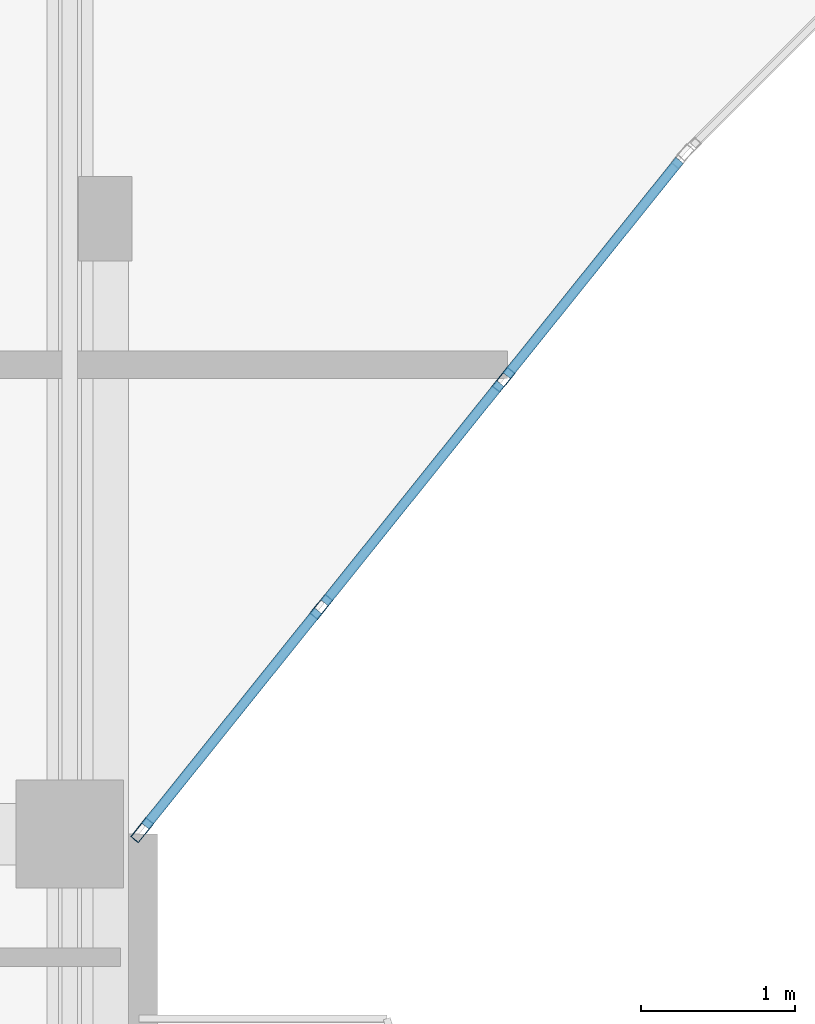
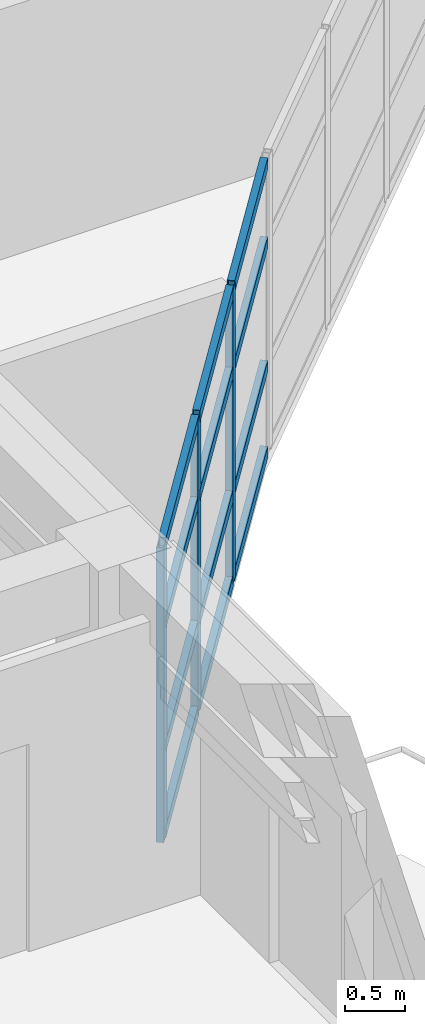
# One storey, part 53 of 128: 15 members, 1 element without a shape of its own.
"""IFC4 building model written with IfcOpenShell, lengths in metres."""

from ifc_helpers import new_model, si_unit, direction, frame, origin, origin_2d, place, context, subcontext, project, spatial, hollow_rectangle, extrude, material, layer, layer_set, material_profile, profile_set, type_object, element, aggregate, save


model = new_model("IFC4")

# Units and contexts
model_context = context("Model", 3, precision=1e-05, world=origin(), true_north=direction((0.0, 1.0)))
body_context = subcontext(model_context, "Body", "Model", "MODEL_VIEW")
ifc_project = project(units=[si_unit("LENGTHUNIT", "METRE"), si_unit("AREAUNIT", "SQUARE_METRE"), si_unit("VOLUMEUNIT", "CUBIC_METRE"), si_unit("PLANEANGLEUNIT", "RADIAN"), si_unit("MASSUNIT", "GRAM", prefix="KILO")], contexts=[model_context])

# Site, building, storey
site_placement = place(None, origin())
site = spatial("IfcSite", under=ifc_project, at=site_placement, CompositionType="ELEMENT")
building_placement = place(site_placement, origin())
building = spatial("IfcBuilding", under=site, at=building_placement, Name="Keldmere Railside Commons", CompositionType="ELEMENT")
storey_placement = place(building_placement, frame((0.0, 0.0, 4.159912109375)))
storey = spatial("IfcBuildingStorey", under=building, at=storey_placement, Name="L01", CompositionType="ELEMENT", Elevation=4.159912109375)

# Curtain wall, members
ifc_material = material(Name="Thermally Broken Aluminium", Category="aluminium")
ifc_layer = layer(ifc_material, 0.159912109375, Name="Court Chord Wintergarden CW 4800x2850")
ifc_layer_set = layer_set([ifc_layer], Name="Thermally Broken Aluminium")
curtain_wall_type = type_object("IfcCurtainWallType", Name="Court Chord Wintergarden CW 4800x2850", PredefinedType="NOTDEFINED", material=ifc_layer_set)
curtain_wall_placement = place(storey_placement, origin())
curtain_wall = element("IfcCurtainWall", 1, at=curtain_wall_placement, inside=storey, type_object=curtain_wall_type, Name="CW-12 CW-L01-091", PredefinedType="NOTDEFINED")
ifc_material_profile_1 = material_profile(ifc_material, hollow_rectangle(XDim=0.06494140625, YDim=0.159912109375, WallThickness=0.00390625, at=origin_2d()), Name="ALU-MULL-65x160")
ifc_profile_set_1 = profile_set([ifc_material_profile_1], Name="Thermally Broken Aluminium")
member_type_1 = type_object("IfcMemberType", Name="Unitised Curtain Wall Mullion 65x160", PredefinedType="MULLION", material=ifc_profile_set_1)
member_1_placement = place(storey_placement, frame((122.369384765625, 90.953369140625, 0.0), z_axis=(0.0, 0.0, 1.0), x_axis=(0.780009172323, -0.625768080915, 0.0)))
member_1 = element("IfcMember", 2, at=member_1_placement, type_object=member_type_1, Name="CW-12 mullion 2", PredefinedType="MULLION", context=body_context, shape_type="SweptSolid", body=[
    extrude(hollow_rectangle(XDim=0.06494140625, YDim=0.159912109375, WallThickness=0.00390625, at=origin_2d()), origin(), (0.0, 0.0, 1.0), 2.97998046875),
])
member_2_placement = place(storey_placement, frame((121.1845703125, 89.4765625, 0.0), z_axis=(0.0, 0.0, 1.0), x_axis=(0.780009172323, -0.625768080915, 0.0)))
member_2 = element("IfcMember", 3, at=member_2_placement, type_object=member_type_1, Name="CW-12 mullion 3", PredefinedType="MULLION", context=body_context, shape_type="SweptSolid", body=[
    extrude(hollow_rectangle(XDim=0.06494140625, YDim=0.159912109375, WallThickness=0.00390625, at=origin_2d()), origin(), (0.0, 0.0, 1.0), 2.97998046875),
])
member_3_placement = place(storey_placement, frame((120.020263671875, 88.025390625, 0.0), z_axis=(0.0, 0.0, 1.0), x_axis=(0.780009172323, -0.625768080915, 0.0)))
member_3 = element("IfcMember", 4, at=member_3_placement, type_object=member_type_1, Name="CW-12 mullion 4", PredefinedType="MULLION", context=body_context, shape_type="SweptSolid", body=[
    extrude(hollow_rectangle(XDim=0.06494140625, YDim=0.159912109375, WallThickness=0.00390625, at=origin_2d()), origin(), (0.0, 0.0, 1.0), 2.97998046875),
])
ifc_material_profile_2 = material_profile(ifc_material, hollow_rectangle(XDim=0.06494140625, YDim=0.1201171875, WallThickness=0.00390625, at=origin_2d()), Name="ALU-TRAN-65x120")
ifc_profile_set_2 = profile_set([ifc_material_profile_2], Name="Thermally Broken Aluminium")
member_type_2 = type_object("IfcMemberType", Name="Unitised Curtain Wall Transom 65x120", PredefinedType="USERDEFINED", material=ifc_profile_set_2)
member_4_placement = place(storey_placement, frame((123.513427734375, 92.37939453125, 0.032470703125), z_axis=(-0.625805275091, -0.779979331565, 0.0), x_axis=(0.779979331565, -0.625805275091, 0.0)))
member_4 = element("IfcMember", 5, at=member_4_placement, type_object=member_type_2, Name="CW-12 transom 1.1", ObjectType="TRANSOM", PredefinedType="USERDEFINED", context=body_context, shape_type="SweptSolid", body=[
    extrude(hollow_rectangle(XDim=0.06494140625, YDim=0.1201171875, WallThickness=0.00390625, at=origin_2d()), origin(), (0.0, 0.0, 1.0), 1.795654296875),
])
member_5_placement = place(storey_placement, frame((123.513427734375, 92.37939453125, 0.900146484375), z_axis=(-0.625805275091, -0.779979331565, 0.0), x_axis=(0.779979331565, -0.625805275091, 0.0)))
member_5 = element("IfcMember", 6, at=member_5_placement, type_object=member_type_2, Name="CW-12 transom 1.2", ObjectType="TRANSOM", PredefinedType="USERDEFINED", context=body_context, shape_type="SweptSolid", body=[
    extrude(hollow_rectangle(XDim=0.06494140625, YDim=0.1201171875, WallThickness=0.00390625, at=origin_2d()), origin(), (0.0, 0.0, 1.0), 1.795654296875),
])
member_6_placement = place(storey_placement, frame((123.513427734375, 92.37939453125, 2.150146484375), z_axis=(-0.625805275091, -0.779979331565, 0.0), x_axis=(0.779979331565, -0.625805275091, 0.0)))
member_6 = element("IfcMember", 7, at=member_6_placement, type_object=member_type_2, Name="CW-12 transom 1.3", ObjectType="TRANSOM", PredefinedType="USERDEFINED", context=body_context, shape_type="SweptSolid", body=[
    extrude(hollow_rectangle(XDim=0.06494140625, YDim=0.1201171875, WallThickness=0.00390625, at=origin_2d()), origin(), (0.0, 0.0, 1.0), 1.795654296875),
])
member_7_placement = place(storey_placement, frame((123.513427734375, 92.37939453125, 2.947509765625), z_axis=(-0.625805275091, -0.779979331565, 0.0), x_axis=(0.779979331565, -0.625805275091, 0.0)))
member_7 = element("IfcMember", 8, at=member_7_placement, type_object=member_type_2, Name="CW-12 transom 1.4", ObjectType="TRANSOM", PredefinedType="USERDEFINED", context=body_context, shape_type="SweptSolid", body=[
    extrude(hollow_rectangle(XDim=0.06494140625, YDim=0.1201171875, WallThickness=0.00390625, at=origin_2d()), origin(), (0.0, 0.0, 1.0), 1.795654296875),
])
member_8_placement = place(storey_placement, frame((122.348876953125, 90.927978515625, 0.032470703125), z_axis=(-0.625688033635, -0.78007338409, 0.0), x_axis=(0.78007338409, -0.625688033635, 0.0)))
member_8 = element("IfcMember", 9, at=member_8_placement, type_object=member_type_2, Name="CW-12 transom 2.1", ObjectType="TRANSOM", PredefinedType="USERDEFINED", context=body_context, shape_type="SweptSolid", body=[
    extrude(hollow_rectangle(XDim=0.06494140625, YDim=0.1201171875, WallThickness=0.00390625, at=origin_2d()), origin(), (0.0, 0.0, 1.0), 1.828125),
])
member_9_placement = place(storey_placement, frame((122.348876953125, 90.927978515625, 0.900146484375), z_axis=(-0.625688033635, -0.78007338409, 0.0), x_axis=(0.78007338409, -0.625688033635, 0.0)))
member_9 = element("IfcMember", 10, at=member_9_placement, type_object=member_type_2, Name="CW-12 transom 2.2", ObjectType="TRANSOM", PredefinedType="USERDEFINED", context=body_context, shape_type="SweptSolid", body=[
    extrude(hollow_rectangle(XDim=0.06494140625, YDim=0.1201171875, WallThickness=0.00390625, at=origin_2d()), origin(), (0.0, 0.0, 1.0), 1.828125),
])
member_10_placement = place(storey_placement, frame((122.348876953125, 90.927978515625, 2.150146484375), z_axis=(-0.625688033635, -0.78007338409, 0.0), x_axis=(0.78007338409, -0.625688033635, 0.0)))
member_10 = element("IfcMember", 11, at=member_10_placement, type_object=member_type_2, Name="CW-12 transom 2.3", ObjectType="TRANSOM", PredefinedType="USERDEFINED", context=body_context, shape_type="SweptSolid", body=[
    extrude(hollow_rectangle(XDim=0.06494140625, YDim=0.1201171875, WallThickness=0.00390625, at=origin_2d()), origin(), (0.0, 0.0, 1.0), 1.828125),
])
member_11_placement = place(storey_placement, frame((122.348876953125, 90.927978515625, 2.947509765625), z_axis=(-0.625688033635, -0.78007338409, 0.0), x_axis=(0.78007338409, -0.625688033635, 0.0)))
member_11 = element("IfcMember", 12, at=member_11_placement, type_object=member_type_2, Name="CW-12 transom 2.4", ObjectType="TRANSOM", PredefinedType="USERDEFINED", context=body_context, shape_type="SweptSolid", body=[
    extrude(hollow_rectangle(XDim=0.06494140625, YDim=0.1201171875, WallThickness=0.00390625, at=origin_2d()), origin(), (0.0, 0.0, 1.0), 1.828125),
])
member_12_placement = place(storey_placement, frame((121.164306640625, 89.451416015625, 0.032470703125), z_axis=(-0.625722553313, -0.780045694992, 0.0), x_axis=(0.780045694992, -0.625722553313, 0.0)))
member_12 = element("IfcMember", 13, at=member_12_placement, type_object=member_type_2, Name="CW-12 transom 3.1", ObjectType="TRANSOM", PredefinedType="USERDEFINED", context=body_context, shape_type="SweptSolid", body=[
    extrude(hollow_rectangle(XDim=0.06494140625, YDim=0.1201171875, WallThickness=0.00390625, at=origin_2d()), origin(), (0.0, 0.0, 1.0), 1.795654296875),
])
member_13_placement = place(storey_placement, frame((121.164306640625, 89.451416015625, 0.900146484375), z_axis=(-0.625722553313, -0.780045694992, 0.0), x_axis=(0.780045694992, -0.625722553313, 0.0)))
member_13 = element("IfcMember", 14, at=member_13_placement, type_object=member_type_2, Name="CW-12 transom 3.2", ObjectType="TRANSOM", PredefinedType="USERDEFINED", context=body_context, shape_type="SweptSolid", body=[
    extrude(hollow_rectangle(XDim=0.06494140625, YDim=0.1201171875, WallThickness=0.00390625, at=origin_2d()), origin(), (0.0, 0.0, 1.0), 1.795654296875),
])
member_14_placement = place(storey_placement, frame((121.164306640625, 89.451416015625, 2.150146484375), z_axis=(-0.625722553313, -0.780045694992, 0.0), x_axis=(0.780045694992, -0.625722553313, 0.0)))
member_14 = element("IfcMember", 15, at=member_14_placement, type_object=member_type_2, Name="CW-12 transom 3.3", ObjectType="TRANSOM", PredefinedType="USERDEFINED", context=body_context, shape_type="SweptSolid", body=[
    extrude(hollow_rectangle(XDim=0.06494140625, YDim=0.1201171875, WallThickness=0.00390625, at=origin_2d()), origin(), (0.0, 0.0, 1.0), 1.795654296875),
])
member_15_placement = place(storey_placement, frame((121.164306640625, 89.451416015625, 2.947509765625), z_axis=(-0.625722553313, -0.780045694992, 0.0), x_axis=(0.780045694992, -0.625722553313, 0.0)))
member_15 = element("IfcMember", 16, at=member_15_placement, type_object=member_type_2, Name="CW-12 transom 3.4", ObjectType="TRANSOM", PredefinedType="USERDEFINED", context=body_context, shape_type="SweptSolid", body=[
    extrude(hollow_rectangle(XDim=0.06494140625, YDim=0.1201171875, WallThickness=0.00390625, at=origin_2d()), origin(), (0.0, 0.0, 1.0), 1.795654296875),
])
aggregate(curtain_wall, [member_1, member_2, member_3, member_4, member_5, member_6, member_7, member_8, member_9, member_10, member_11, member_12, member_13, member_14, member_15])

save(model, "model.ifc")
